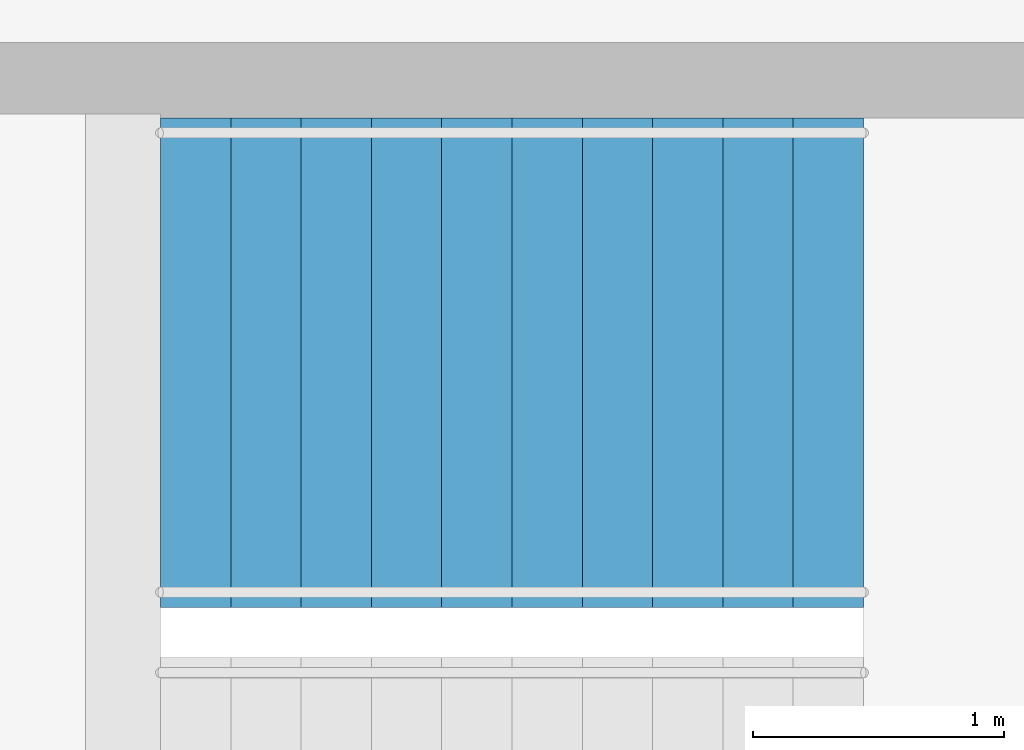
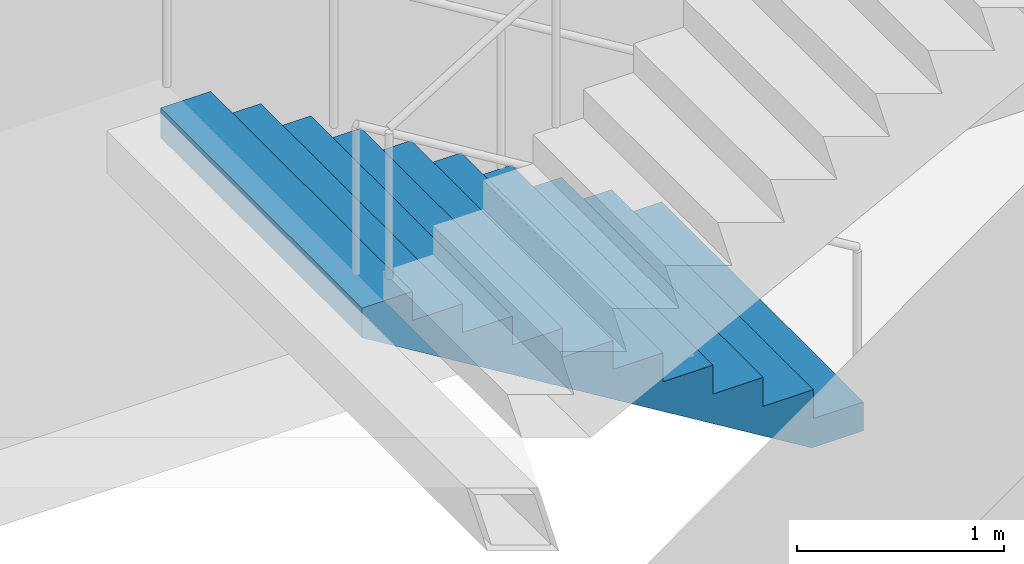
# One storey, part 27 of 28: 1 stair flight, 1 element without a shape of its own.
"""IFC4 building model written with IfcOpenShell, lengths in metres."""

from ifc_helpers import new_model, si_unit, direction, frame, origin, place, context, subcontext, project, spatial, triangles, material, type_object, element, aggregate, save


model = new_model("IFC4")

# Units and contexts
model_context = context("Model", 3, precision=1e-05, world=origin(), true_north=direction((0.0, 1.0)))
body_context = subcontext(model_context, "Body", "Model", "MODEL_VIEW")
ifc_project = project(units=[si_unit("LENGTHUNIT", "METRE"), si_unit("AREAUNIT", "SQUARE_METRE"), si_unit("VOLUMEUNIT", "CUBIC_METRE"), si_unit("PLANEANGLEUNIT", "RADIAN"), si_unit("MASSUNIT", "GRAM", prefix="KILO")], contexts=[model_context])

# Site, building, storey
site_placement = place(None, origin())
site = spatial("IfcSite", under=ifc_project, at=site_placement, CompositionType="ELEMENT")
building_placement = place(site_placement, origin())
building = spatial("IfcBuilding", under=site, at=building_placement, Name="Orbita Commons", CompositionType="ELEMENT")
storey_placement = place(building_placement, frame((0.0, 0.0, 216.550048828125)))
storey = spatial("IfcBuildingStorey", under=building, at=storey_placement, Name="L53", CompositionType="ELEMENT", Elevation=216.550048828125)

# Stair, stair flight
ifc_material_1 = material(Name="Precast concrete C40/50", Category="concrete")
stair_type = type_object("IfcStairType", Name="Exit stair S2 2 flights 11 risers 170", PredefinedType="HALF_TURN_STAIR", material=ifc_material_1)
stair_placement = place(storey_placement, origin())
stair = element("IfcStair", 1, at=stair_placement, inside=storey, type_object=stair_type, Name="Exit stair S2 L53", PredefinedType="HALF_TURN_STAIR")
ifc_material_2 = material(Name="Precast concrete C40/50", Category="concrete")
stair_flight_type = type_object("IfcStairFlightType", Name="Stair flight 11 risers 170 x 280", PredefinedType="STRAIGHT", material=ifc_material_2)
stair_flight_placement = place(storey_placement, frame((63.550048828125, 29.27490234375, 0.0), z_axis=(0.0, 0.0, 1.0), x_axis=(-1.0, 0.0, 0.0)))
stair_flight = element("IfcStairFlight", 2, at=stair_flight_placement, type_object=stair_flight_type, Name="S2 flight 1", NumberOfRisers=11, NumberOfTreads=10, PredefinedType="STRAIGHT", RiserHeight=0.170454545, TreadLength=0.28, context=body_context, shape_type="Tessellation", body=[
    triangles([(0.0, 0.974976, 0.0), (0.0, 0.974976, 0.021307), (0.0, 0.81248, 0.021307), (0.0, 0.81248, 0.0), (0.0, 0.649984, 0.021307), (0.0, 0.649984, 0.0), (0.0, 0.487488, 0.021307), (0.0, 0.487488, 0.0), (0.0, 0.324992, 0.021307), (0.0, 0.324992, 0.0), (0.0, 0.162496, 0.021307), (0.0, 0.162496, 0.0), (0.0, 0.0, 0.021307), (0.0, 0.0, 0.0), (0.0, -0.162496, 0.021307), (0.0, -0.162496, 0.0), (0.0, -0.324992, 0.021307), (0.0, -0.324992, 0.0), (0.0, -0.487488, 0.021307), (0.0, -0.487488, 0.0), (0.0, -0.649984, 0.021307), (0.0, -0.649984, 0.0), (0.0, -0.81248, 0.021307), (0.0, -0.81248, 0.0), (0.0, -0.974976, 0.021307), (0.0, -0.974976, 0.0), (0.0, 0.974976, 0.042614), (0.0, 0.81248, 0.042614), (0.0, 0.649984, 0.042614), (0.0, 0.487488, 0.042614), (0.0, 0.324992, 0.042614), (0.0, 0.162496, 0.042614), (0.0, 0.0, 0.042614), (0.0, -0.162496, 0.042614), (0.0, -0.324992, 0.042614), (0.0, -0.487488, 0.042614), (0.0, -0.649984, 0.042614), (0.0, -0.81248, 0.042614), (0.0, -0.974976, 0.042614), (0.0, 0.974976, 0.06392), (0.0, 0.81248, 0.06392), (0.0, 0.649984, 0.06392), (0.0, 0.487488, 0.06392), (0.0, 0.324992, 0.06392), (0.0, 0.162496, 0.06392), (0.0, 0.0, 0.06392), (0.0, -0.162496, 0.06392), (0.0, -0.324992, 0.06392), (0.0, -0.487488, 0.06392), (0.0, -0.649984, 0.06392), (0.0, -0.81248, 0.06392), (0.0, -0.974976, 0.06392), (0.0, 0.974976, 0.085227), (0.0, 0.81248, 0.085227), (0.0, 0.649984, 0.085227), (0.0, 0.487488, 0.085227), (0.0, 0.324992, 0.085227), (0.0, 0.162496, 0.085227), (0.0, 0.0, 0.085227), (0.0, -0.162496, 0.085227), (0.0, -0.324992, 0.085227), (0.0, -0.487488, 0.085227), (0.0, -0.649984, 0.085227), (0.0, -0.81248, 0.085227), (0.0, -0.974976, 0.085227), (0.0, 0.974976, 0.106534), (0.0, 0.81248, 0.106534), (0.0, 0.649984, 0.106534), (0.0, 0.487488, 0.106534), (0.0, 0.324992, 0.106534), (0.0, 0.162496, 0.106534), (0.0, 0.0, 0.106534), (0.0, -0.162496, 0.106534), (0.0, -0.324992, 0.106534), (0.0, -0.487488, 0.106534), (0.0, -0.649984, 0.106534), (0.0, -0.81248, 0.106534), (0.0, -0.974976, 0.106534), (0.0, 0.974976, 0.127841), (0.0, 0.81248, 0.127841), (0.0, 0.649984, 0.127841), (0.0, 0.487488, 0.127841), (0.0, 0.324992, 0.127841), (0.0, 0.162496, 0.127841), (0.0, 0.0, 0.127841), (0.0, -0.162496, 0.127841), (0.0, -0.324992, 0.127841), (0.0, -0.487488, 0.127841), (0.0, -0.649984, 0.127841), (0.0, -0.81248, 0.127841), (0.0, -0.974976, 0.127841), (0.0, 0.974976, 0.149148), (0.0, 0.81248, 0.149148), (0.0, 0.649984, 0.149148), (0.0, 0.487488, 0.149148), (0.0, 0.324992, 0.149148), (0.0, 0.162496, 0.149148), (0.0, 0.0, 0.149148), (0.0, -0.162496, 0.149148), (0.0, -0.324992, 0.149148), (0.0, -0.487488, 0.149148), (0.0, -0.649984, 0.149148), (0.0, -0.81248, 0.149148), (0.0, -0.974976, 0.149148), (0.0, 0.974976, 0.170455), (0.0, 0.81248, 0.170455), (0.0, 0.649984, 0.170455), (0.0, 0.487488, 0.170455), (0.0, 0.324992, 0.170455), (0.0, 0.162496, 0.170455), (0.0, 0.0, 0.170455), (0.0, -0.162496, 0.170455), (0.0, -0.324992, 0.170455), (0.0, -0.487488, 0.170455), (0.0, -0.649984, 0.170455), (0.0, -0.81248, 0.170455), (0.0, -0.974976, 0.170455), (0.28, 0.974976, 0.170455), (0.28, 0.81248, 0.170455), (0.28, 0.649984, 0.170455), (0.28, 0.487488, 0.170455), (0.28, 0.324992, 0.170455), (0.28, 0.162496, 0.170455), (0.28, 0.0, 0.170455), (0.28, -0.162496, 0.170455), (0.28, -0.324992, 0.170455), (0.28, -0.487488, 0.170455), (0.28, -0.649984, 0.170455), (0.28, -0.81248, 0.170455), (0.28, -0.974976, 0.170455), (0.28, 0.974976, 0.340909), (0.28, 0.81248, 0.340909), (0.28, 0.649984, 0.340909), (0.28, 0.487488, 0.340909), (0.28, 0.324992, 0.340909), (0.28, 0.162496, 0.340909), (0.28, 0.0, 0.340909), (0.28, -0.162496, 0.340909), (0.28, -0.324992, 0.340909), (0.28, -0.487488, 0.340909), (0.28, -0.649984, 0.340909), (0.28, -0.81248, 0.340909), (0.28, -0.974976, 0.340909), (0.56, 0.974976, 0.340909), (0.56, 0.81248, 0.340909), (0.56, 0.649984, 0.340909), (0.56, 0.487488, 0.340909), (0.56, 0.324992, 0.340909), (0.56, 0.162496, 0.340909), (0.56, 0.0, 0.340909), (0.56, -0.162496, 0.340909), (0.56, -0.324992, 0.340909), (0.56, -0.487488, 0.340909), (0.56, -0.649984, 0.340909), (0.56, -0.81248, 0.340909), (0.56, -0.974976, 0.340909), (0.56, 0.974976, 0.511364), (0.56, 0.81248, 0.511364), (0.56, 0.649984, 0.511364), (0.56, 0.487488, 0.511364), (0.56, 0.324992, 0.511364), (0.56, 0.162496, 0.511364), (0.56, 0.0, 0.511364), (0.56, -0.162496, 0.511364), (0.56, -0.324992, 0.511364), (0.56, -0.487488, 0.511364), (0.56, -0.649984, 0.511364), (0.56, -0.81248, 0.511364), (0.56, -0.974976, 0.511364), (0.84, 0.974976, 0.511364), (0.84, 0.81248, 0.511364), (0.84, 0.649984, 0.511364), (0.84, 0.487488, 0.511364), (0.84, 0.324992, 0.511364), (0.84, 0.162496, 0.511364), (0.84, 0.0, 0.511364), (0.84, -0.162496, 0.511364), (0.84, -0.324992, 0.511364), (0.84, -0.487488, 0.511364), (0.84, -0.649984, 0.511364), (0.84, -0.81248, 0.511364), (0.84, -0.974976, 0.511364), (0.84, 0.974976, 0.681818), (0.84, 0.81248, 0.681818), (0.84, 0.649984, 0.681818), (0.84, 0.487488, 0.681818), (0.84, 0.324992, 0.681818), (0.84, 0.162496, 0.681818), (0.84, 0.0, 0.681818), (0.84, -0.162496, 0.681818), (0.84, -0.324992, 0.681818), (0.84, -0.487488, 0.681818), (0.84, -0.649984, 0.681818), (0.84, -0.81248, 0.681818), (0.84, -0.974976, 0.681818), (1.12, 0.974976, 0.681818), (1.12, 0.81248, 0.681818), (1.12, 0.649984, 0.681818), (1.12, 0.487488, 0.681818), (1.12, 0.324992, 0.681818), (1.12, 0.162496, 0.681818), (1.12, 0.0, 0.681818), (1.12, -0.162496, 0.681818), (1.12, -0.324992, 0.681818), (1.12, -0.487488, 0.681818), (1.12, -0.649984, 0.681818), (1.12, -0.81248, 0.681818), (1.12, -0.974976, 0.681818), (1.12, 0.974976, 0.852273), (1.12, 0.81248, 0.852273), (1.12, 0.649984, 0.852273), (1.12, 0.487488, 0.852273), (1.12, 0.324992, 0.852273), (1.12, 0.162496, 0.852273), (1.12, 0.0, 0.852273), (1.12, -0.162496, 0.852273), (1.12, -0.324992, 0.852273), (1.12, -0.487488, 0.852273), (1.12, -0.649984, 0.852273), (1.12, -0.81248, 0.852273), (1.12, -0.974976, 0.852273), (1.4, 0.974976, 0.852273), (1.4, 0.81248, 0.852273), (1.4, 0.649984, 0.852273), (1.4, 0.487488, 0.852273), (1.4, 0.324992, 0.852273), (1.4, 0.162496, 0.852273), (1.4, 0.0, 0.852273), (1.4, -0.162496, 0.852273), (1.4, -0.324992, 0.852273), (1.4, -0.487488, 0.852273), (1.4, -0.649984, 0.852273), (1.4, -0.81248, 0.852273), (1.4, -0.974976, 0.852273), (1.4, 0.974976, 1.022727), (1.4, 0.81248, 1.022727), (1.4, 0.649984, 1.022727), (1.4, 0.487488, 1.022727), (1.4, 0.324992, 1.022727), (1.4, 0.162496, 1.022727), (1.4, 0.0, 1.022727), (1.4, -0.162496, 1.022727), (1.4, -0.324992, 1.022727), (1.4, -0.487488, 1.022727), (1.4, -0.649984, 1.022727), (1.4, -0.81248, 1.022727), (1.4, -0.974976, 1.022727), (1.68, 0.974976, 1.022727), (1.68, 0.81248, 1.022727), (1.68, 0.649984, 1.022727), (1.68, 0.487488, 1.022727), (1.68, 0.324992, 1.022727), (1.68, 0.162496, 1.022727), (1.68, 0.0, 1.022727), (1.68, -0.162496, 1.022727), (1.68, -0.324992, 1.022727), (1.68, -0.487488, 1.022727), (1.68, -0.649984, 1.022727), (1.68, -0.81248, 1.022727), (1.68, -0.974976, 1.022727), (1.68, 0.974976, 1.193182), (1.68, 0.81248, 1.193182), (1.68, 0.649984, 1.193182), (1.68, 0.487488, 1.193182), (1.68, 0.324992, 1.193182), (1.68, 0.162496, 1.193182), (1.68, 0.0, 1.193182), (1.68, -0.162496, 1.193182), (1.68, -0.324992, 1.193182), (1.68, -0.487488, 1.193182), (1.68, -0.649984, 1.193182), (1.68, -0.81248, 1.193182), (1.68, -0.974976, 1.193182), (1.96, 0.974976, 1.193182), (1.96, 0.81248, 1.193182), (1.96, 0.649984, 1.193182), (1.96, 0.487488, 1.193182), (1.96, 0.324992, 1.193182), (1.96, 0.162496, 1.193182), (1.96, 0.0, 1.193182), (1.96, -0.162496, 1.193182), (1.96, -0.324992, 1.193182), (1.96, -0.487488, 1.193182), (1.96, -0.649984, 1.193182), (1.96, -0.81248, 1.193182), (1.96, -0.974976, 1.193182), (1.96, 0.974976, 1.363636), (1.96, 0.81248, 1.363636), (1.96, 0.649984, 1.363636), (1.96, 0.487488, 1.363636), (1.96, 0.324992, 1.363636), (1.96, 0.162496, 1.363636), (1.96, 0.0, 1.363636), (1.96, -0.162496, 1.363636), (1.96, -0.324992, 1.363636), (1.96, -0.487488, 1.363636), (1.96, -0.649984, 1.363636), (1.96, -0.81248, 1.363636), (1.96, -0.974976, 1.363636), (2.24, 0.974976, 1.363636), (2.24, 0.81248, 1.363636), (2.24, 0.649984, 1.363636), (2.24, 0.487488, 1.363636), (2.24, 0.324992, 1.363636), (2.24, 0.162496, 1.363636), (2.24, 0.0, 1.363636), (2.24, -0.162496, 1.363636), (2.24, -0.324992, 1.363636), (2.24, -0.487488, 1.363636), (2.24, -0.649984, 1.363636), (2.24, -0.81248, 1.363636), (2.24, -0.974976, 1.363636), (2.24, 0.974976, 1.534091), (2.24, 0.81248, 1.534091), (2.24, 0.649984, 1.534091), (2.24, 0.487488, 1.534091), (2.24, 0.324992, 1.534091), (2.24, 0.162496, 1.534091), (2.24, 0.0, 1.534091), (2.24, -0.162496, 1.534091), (2.24, -0.324992, 1.534091), (2.24, -0.487488, 1.534091), (2.24, -0.649984, 1.534091), (2.24, -0.81248, 1.534091), (2.24, -0.974976, 1.534091), (2.52, 0.974976, 1.534091), (2.52, 0.81248, 1.534091), (2.52, 0.649984, 1.534091), (2.52, 0.487488, 1.534091), (2.52, 0.324992, 1.534091), (2.52, 0.162496, 1.534091), (2.52, 0.0, 1.534091), (2.52, -0.162496, 1.534091), (2.52, -0.324992, 1.534091), (2.52, -0.487488, 1.534091), (2.52, -0.649984, 1.534091), (2.52, -0.81248, 1.534091), (2.52, -0.974976, 1.534091), (2.52, 0.974976, 1.704545), (2.52, 0.81248, 1.704545), (2.52, 0.649984, 1.704545), (2.52, 0.487488, 1.704545), (2.52, 0.324992, 1.704545), (2.52, 0.162496, 1.704545), (2.52, 0.0, 1.704545), (2.52, -0.162496, 1.704545), (2.52, -0.324992, 1.704545), (2.52, -0.487488, 1.704545), (2.52, -0.649984, 1.704545), (2.52, -0.81248, 1.704545), (2.52, -0.974976, 1.704545), (2.8, 0.974976, 1.704545), (2.8, 0.81248, 1.704545), (2.8, 0.649984, 1.704545), (2.8, 0.487488, 1.704545), (2.8, 0.324992, 1.704545), (2.8, 0.162496, 1.704545), (2.8, 0.0, 1.704545), (2.8, -0.162496, 1.704545), (2.8, -0.324992, 1.704545), (2.8, -0.487488, 1.704545), (2.8, -0.649984, 1.704545), (2.8, -0.81248, 1.704545), (2.8, -0.974976, 1.704545), (2.8, 0.974976, 1.682609), (2.8, 0.81248, 1.682609), (2.8, 0.649984, 1.682609), (2.8, 0.487488, 1.682609), (2.8, 0.324992, 1.682609), (2.8, 0.162496, 1.682609), (2.8, 0.0, 1.682609), (2.8, -0.162496, 1.682609), (2.8, -0.324992, 1.682609), (2.8, -0.487488, 1.682609), (2.8, -0.649984, 1.682609), (2.8, -0.81248, 1.682609), (2.8, -0.974976, 1.682609), (2.8, 0.974976, 1.660672), (2.8, 0.81248, 1.660672), (2.8, 0.649984, 1.660672), (2.8, 0.487488, 1.660672), (2.8, 0.324992, 1.660672), (2.8, 0.162496, 1.660672), (2.8, 0.0, 1.660672), (2.8, -0.162496, 1.660672), (2.8, -0.324992, 1.660672), (2.8, -0.487488, 1.660672), (2.8, -0.649984, 1.660672), (2.8, -0.81248, 1.660672), (2.8, -0.974976, 1.660672), (2.8, 0.974976, 1.638735), (2.8, 0.81248, 1.638735), (2.8, 0.649984, 1.638735), (2.8, 0.487488, 1.638735), (2.8, 0.324992, 1.638735), (2.8, 0.162496, 1.638735), (2.8, 0.0, 1.638735), (2.8, -0.162496, 1.638735), (2.8, -0.324992, 1.638735), (2.8, -0.487488, 1.638735), (2.8, -0.649984, 1.638735), (2.8, -0.81248, 1.638735), (2.8, -0.974976, 1.638735), (2.8, 0.974976, 1.616798), (2.8, 0.81248, 1.616798), (2.8, 0.649984, 1.616798), (2.8, 0.487488, 1.616798), (2.8, 0.324992, 1.616798), (2.8, 0.162496, 1.616798), (2.8, 0.0, 1.616798), (2.8, -0.162496, 1.616798), (2.8, -0.324992, 1.616798), (2.8, -0.487488, 1.616798), (2.8, -0.649984, 1.616798), (2.8, -0.81248, 1.616798), (2.8, -0.974976, 1.616798), (2.8, 0.974976, 1.594861), (2.8, 0.81248, 1.594861), (2.8, 0.649984, 1.594861), (2.8, 0.487488, 1.594861), (2.8, 0.324992, 1.594861), (2.8, 0.162496, 1.594861), (2.8, 0.0, 1.594861), (2.8, -0.162496, 1.594861), (2.8, -0.324992, 1.594861), (2.8, -0.487488, 1.594861), (2.8, -0.649984, 1.594861), (2.8, -0.81248, 1.594861), (2.8, -0.974976, 1.594861), (2.8, 0.974976, 1.572925), (2.8, 0.81248, 1.572925), (2.8, 0.649984, 1.572925), (2.8, 0.487488, 1.572925), (2.8, 0.324992, 1.572925), (2.8, 0.162496, 1.572925), (2.8, 0.0, 1.572925), (2.8, -0.162496, 1.572925), (2.8, -0.324992, 1.572925), (2.8, -0.487488, 1.572925), (2.8, -0.649984, 1.572925), (2.8, -0.81248, 1.572925), (2.8, -0.974976, 1.572925), (2.8, 0.974976, 1.550988), (2.8, 0.81248, 1.550988), (2.8, 0.649984, 1.550988), (2.8, 0.487488, 1.550988), (2.8, 0.324992, 1.550988), (2.8, 0.162496, 1.550988), (2.8, 0.0, 1.550988), (2.8, -0.162496, 1.550988), (2.8, -0.324992, 1.550988), (2.8, -0.487488, 1.550988), (2.8, -0.649984, 1.550988), (2.8, -0.81248, 1.550988), (2.8, -0.974976, 1.550988), (2.8, 0.974976, 1.529051), (2.8, 0.81248, 1.529051), (2.8, 0.649984, 1.529051), (2.8, 0.487488, 1.529051), (2.8, 0.324992, 1.529051), (2.8, 0.162496, 1.529051), (2.8, 0.0, 1.529051), (2.8, -0.162496, 1.529051), (2.8, -0.324992, 1.529051), (2.8, -0.487488, 1.529051), (2.8, -0.649984, 1.529051), (2.8, -0.81248, 1.529051), (2.8, -0.974976, 1.529051), (0.288279, 0.974976, 0.0), (0.288279, 0.81248, 0.0), (0.288279, 0.649984, 0.0), (0.288279, 0.487488, 0.0), (0.288279, 0.324992, 0.0), (0.288279, 0.162496, 0.0), (0.288279, 0.0, 0.0), (0.288279, -0.162496, 0.0), (0.288279, -0.324992, 0.0), (0.288279, -0.487488, 0.0), (0.288279, -0.649984, 0.0), (0.288279, -0.81248, 0.0), (0.288279, -0.974976, 0.0)], [[3, 2, 1], [4, 3, 1], [5, 3, 4], [6, 5, 4], [7, 5, 6], [8, 7, 6], [9, 7, 8], [10, 9, 8], [11, 9, 10], [12, 11, 10], [13, 11, 12], [14, 13, 12], [15, 13, 14], [16, 15, 14], [17, 15, 16], [18, 17, 16], [19, 17, 18], [20, 19, 18], [21, 19, 20], [22, 21, 20], [23, 21, 22], [24, 23, 22], [25, 23, 24], [26, 25, 24], [28, 27, 2], [3, 28, 2], [29, 28, 3], [5, 29, 3], [30, 29, 5], [7, 30, 5], [31, 30, 7], [9, 31, 7], [32, 31, 9], [11, 32, 9], [33, 32, 11], [13, 33, 11], [34, 33, 13], [15, 34, 13], [35, 34, 15], [17, 35, 15], [36, 35, 17], [19, 36, 17], [37, 36, 19], [21, 37, 19], [38, 37, 21], [23, 38, 21], [39, 38, 23], [25, 39, 23], [41, 40, 27], [28, 41, 27], [42, 41, 28], [29, 42, 28], [43, 42, 29], [30, 43, 29], [44, 43, 30], [31, 44, 30], [45, 44, 31], [32, 45, 31], [46, 45, 32], [33, 46, 32], [47, 46, 33], [34, 47, 33], [48, 47, 34], [35, 48, 34], [49, 48, 35], [36, 49, 35], [50, 49, 36], [37, 50, 36], [51, 50, 37], [38, 51, 37], [52, 51, 38], [39, 52, 38], [54, 53, 40], [41, 54, 40], [55, 54, 41], [42, 55, 41], [56, 55, 42], [43, 56, 42], [57, 56, 43], [44, 57, 43], [58, 57, 44], [45, 58, 44], [59, 58, 45], [46, 59, 45], [60, 59, 46], [47, 60, 46], [61, 60, 47], [48, 61, 47], [62, 61, 48], [49, 62, 48], [63, 62, 49], [50, 63, 49], [64, 63, 50], [51, 64, 50], [65, 64, 51], [52, 65, 51], [67, 66, 53], [54, 67, 53], [68, 67, 54], [55, 68, 54], [69, 68, 55], [56, 69, 55], [70, 69, 56], [57, 70, 56], [71, 70, 57], [58, 71, 57], [72, 71, 58], [59, 72, 58], [73, 72, 59], [60, 73, 59], [74, 73, 60], [61, 74, 60], [75, 74, 61], [62, 75, 61], [76, 75, 62], [63, 76, 62], [77, 76, 63], [64, 77, 63], [78, 77, 64], [65, 78, 64], [80, 79, 66], [67, 80, 66], [81, 80, 67], [68, 81, 67], [82, 81, 68], [69, 82, 68], [83, 82, 69], [70, 83, 69], [84, 83, 70], [71, 84, 70], [85, 84, 71], [72, 85, 71], [86, 85, 72], [73, 86, 72], [87, 86, 73], [74, 87, 73], [88, 87, 74], [75, 88, 74], [89, 88, 75], [76, 89, 75], [90, 89, 76], [77, 90, 76], [91, 90, 77], [78, 91, 77], [93, 92, 79], [80, 93, 79], [94, 93, 80], [81, 94, 80], [95, 94, 81], [82, 95, 81], [96, 95, 82], [83, 96, 82], [97, 96, 83], [84, 97, 83], [98, 97, 84], [85, 98, 84], [99, 98, 85], [86, 99, 85], [100, 99, 86], [87, 100, 86], [101, 100, 87], [88, 101, 87], [102, 101, 88], [89, 102, 88], [103, 102, 89], [90, 103, 89], [104, 103, 90], [91, 104, 90], [106, 105, 92], [93, 106, 92], [107, 106, 93], [94, 107, 93], [108, 107, 94], [95, 108, 94], [109, 108, 95], [96, 109, 95], [110, 109, 96], [97, 110, 96], [111, 110, 97], [98, 111, 97], [112, 111, 98], [99, 112, 98], [113, 112, 99], [100, 113, 99], [114, 113, 100], [101, 114, 100], [115, 114, 101], [102, 115, 101], [116, 115, 102], [103, 116, 102], [117, 116, 103], [104, 117, 103], [119, 118, 105], [106, 119, 105], [120, 119, 106], [107, 120, 106], [121, 120, 107], [108, 121, 107], [122, 121, 108], [109, 122, 108], [123, 122, 109], [110, 123, 109], [124, 123, 110], [111, 124, 110], [125, 124, 111], [112, 125, 111], [126, 125, 112], [113, 126, 112], [127, 126, 113], [114, 127, 113], [128, 127, 114], [115, 128, 114], [129, 128, 115], [116, 129, 115], [130, 129, 116], [117, 130, 116], [132, 131, 118], [119, 132, 118], [133, 132, 119], [120, 133, 119], [134, 133, 120], [121, 134, 120], [135, 134, 121], [122, 135, 121], [136, 135, 122], [123, 136, 122], [137, 136, 123], [124, 137, 123], [138, 137, 124], [125, 138, 124], [139, 138, 125], [126, 139, 125], [140, 139, 126], [127, 140, 126], [141, 140, 127], [128, 141, 127], [142, 141, 128], [129, 142, 128], [143, 142, 129], [130, 143, 129], [145, 144, 131], [132, 145, 131], [146, 145, 132], [133, 146, 132], [147, 146, 133], [134, 147, 133], [148, 147, 134], [135, 148, 134], [149, 148, 135], [136, 149, 135], [150, 149, 136], [137, 150, 136], [151, 150, 137], [138, 151, 137], [152, 151, 138], [139, 152, 138], [153, 152, 139], [140, 153, 139], [154, 153, 140], [141, 154, 140], [155, 154, 141], [142, 155, 141], [156, 155, 142], [143, 156, 142], [158, 157, 144], [145, 158, 144], [159, 158, 145], [146, 159, 145], [160, 159, 146], [147, 160, 146], [161, 160, 147], [148, 161, 147], [162, 161, 148], [149, 162, 148], [163, 162, 149], [150, 163, 149], [164, 163, 150], [151, 164, 150], [165, 164, 151], [152, 165, 151], [166, 165, 152], [153, 166, 152], [167, 166, 153], [154, 167, 153], [168, 167, 154], [155, 168, 154], [169, 168, 155], [156, 169, 155], [171, 170, 157], [158, 171, 157], [172, 171, 158], [159, 172, 158], [173, 172, 159], [160, 173, 159], [174, 173, 160], [161, 174, 160], [175, 174, 161], [162, 175, 161], [176, 175, 162], [163, 176, 162], [177, 176, 163], [164, 177, 163], [178, 177, 164], [165, 178, 164], [179, 178, 165], [166, 179, 165], [180, 179, 166], [167, 180, 166], [181, 180, 167], [168, 181, 167], [182, 181, 168], [169, 182, 168], [184, 183, 170], [171, 184, 170], [185, 184, 171], [172, 185, 171], [186, 185, 172], [173, 186, 172], [187, 186, 173], [174, 187, 173], [188, 187, 174], [175, 188, 174], [189, 188, 175], [176, 189, 175], [190, 189, 176], [177, 190, 176], [191, 190, 177], [178, 191, 177], [192, 191, 178], [179, 192, 178], [193, 192, 179], [180, 193, 179], [194, 193, 180], [181, 194, 180], [195, 194, 181], [182, 195, 181], [197, 196, 183], [184, 197, 183], [198, 197, 184], [185, 198, 184], [199, 198, 185], [186, 199, 185], [200, 199, 186], [187, 200, 186], [201, 200, 187], [188, 201, 187], [202, 201, 188], [189, 202, 188], [203, 202, 189], [190, 203, 189], [204, 203, 190], [191, 204, 190], [205, 204, 191], [192, 205, 191], [206, 205, 192], [193, 206, 192], [207, 206, 193], [194, 207, 193], [208, 207, 194], [195, 208, 194], [210, 209, 196], [197, 210, 196], [211, 210, 197], [198, 211, 197], [212, 211, 198], [199, 212, 198], [213, 212, 199], [200, 213, 199], [214, 213, 200], [201, 214, 200], [215, 214, 201], [202, 215, 201], [216, 215, 202], [203, 216, 202], [217, 216, 203], [204, 217, 203], [218, 217, 204], [205, 218, 204], [219, 218, 205], [206, 219, 205], [220, 219, 206], [207, 220, 206], [221, 220, 207], [208, 221, 207], [223, 222, 209], [210, 223, 209], [224, 223, 210], [211, 224, 210], [225, 224, 211], [212, 225, 211], [226, 225, 212], [213, 226, 212], [227, 226, 213], [214, 227, 213], [228, 227, 214], [215, 228, 214], [229, 228, 215], [216, 229, 215], [230, 229, 216], [217, 230, 216], [231, 230, 217], [218, 231, 217], [232, 231, 218], [219, 232, 218], [233, 232, 219], [220, 233, 219], [234, 233, 220], [221, 234, 220], [236, 235, 222], [223, 236, 222], [237, 236, 223], [224, 237, 223], [238, 237, 224], [225, 238, 224], [239, 238, 225], [226, 239, 225], [240, 239, 226], [227, 240, 226], [241, 240, 227], [228, 241, 227], [242, 241, 228], [229, 242, 228], [243, 242, 229], [230, 243, 229], [244, 243, 230], [231, 244, 230], [245, 244, 231], [232, 245, 231], [246, 245, 232], [233, 246, 232], [247, 246, 233], [234, 247, 233], [249, 248, 235], [236, 249, 235], [250, 249, 236], [237, 250, 236], [251, 250, 237], [238, 251, 237], [252, 251, 238], [239, 252, 238], [253, 252, 239], [240, 253, 239], [254, 253, 240], [241, 254, 240], [255, 254, 241], [242, 255, 241], [256, 255, 242], [243, 256, 242], [257, 256, 243], [244, 257, 243], [258, 257, 244], [245, 258, 244], [259, 258, 245], [246, 259, 245], [260, 259, 246], [247, 260, 246], [262, 261, 248], [249, 262, 248], [263, 262, 249], [250, 263, 249], [264, 263, 250], [251, 264, 250], [265, 264, 251], [252, 265, 251], [266, 265, 252], [253, 266, 252], [267, 266, 253], [254, 267, 253], [268, 267, 254], [255, 268, 254], [269, 268, 255], [256, 269, 255], [270, 269, 256], [257, 270, 256], [271, 270, 257], [258, 271, 257], [272, 271, 258], [259, 272, 258], [273, 272, 259], [260, 273, 259], [275, 274, 261], [262, 275, 261], [276, 275, 262], [263, 276, 262], [277, 276, 263], [264, 277, 263], [278, 277, 264], [265, 278, 264], [279, 278, 265], [266, 279, 265], [280, 279, 266], [267, 280, 266], [281, 280, 267], [268, 281, 267], [282, 281, 268], [269, 282, 268], [283, 282, 269], [270, 283, 269], [284, 283, 270], [271, 284, 270], [285, 284, 271], [272, 285, 271], [286, 285, 272], [273, 286, 272], [288, 287, 274], [275, 288, 274], [289, 288, 275], [276, 289, 275], [290, 289, 276], [277, 290, 276], [291, 290, 277], [278, 291, 277], [292, 291, 278], [279, 292, 278], [293, 292, 279], [280, 293, 279], [294, 293, 280], [281, 294, 280], [295, 294, 281], [282, 295, 281], [296, 295, 282], [283, 296, 282], [297, 296, 283], [284, 297, 283], [298, 297, 284], [285, 298, 284], [299, 298, 285], [286, 299, 285], [301, 300, 287], [288, 301, 287], [302, 301, 288], [289, 302, 288], [303, 302, 289], [290, 303, 289], [304, 303, 290], [291, 304, 290], [305, 304, 291], [292, 305, 291], [306, 305, 292], [293, 306, 292], [307, 306, 293], [294, 307, 293], [308, 307, 294], [295, 308, 294], [309, 308, 295], [296, 309, 295], [310, 309, 296], [297, 310, 296], [311, 310, 297], [298, 311, 297], [312, 311, 298], [299, 312, 298], [314, 313, 300], [301, 314, 300], [315, 314, 301], [302, 315, 301], [316, 315, 302], [303, 316, 302], [317, 316, 303], [304, 317, 303], [318, 317, 304], [305, 318, 304], [319, 318, 305], [306, 319, 305], [320, 319, 306], [307, 320, 306], [321, 320, 307], [308, 321, 307], [322, 321, 308], [309, 322, 308], [323, 322, 309], [310, 323, 309], [324, 323, 310], [311, 324, 310], [325, 324, 311], [312, 325, 311], [327, 326, 313], [314, 327, 313], [328, 327, 314], [315, 328, 314], [329, 328, 315], [316, 329, 315], [330, 329, 316], [317, 330, 316], [331, 330, 317], [318, 331, 317], [332, 331, 318], [319, 332, 318], [333, 332, 319], [320, 333, 319], [334, 333, 320], [321, 334, 320], [335, 334, 321], [322, 335, 321], [336, 335, 322], [323, 336, 322], [337, 336, 323], [324, 337, 323], [338, 337, 324], [325, 338, 324], [340, 339, 326], [327, 340, 326], [341, 340, 327], [328, 341, 327], [342, 341, 328], [329, 342, 328], [343, 342, 329], [330, 343, 329], [344, 343, 330], [331, 344, 330], [345, 344, 331], [332, 345, 331], [346, 345, 332], [333, 346, 332], [347, 346, 333], [334, 347, 333], [348, 347, 334], [335, 348, 334], [349, 348, 335], [336, 349, 335], [350, 349, 336], [337, 350, 336], [351, 350, 337], [338, 351, 337], [353, 352, 339], [340, 353, 339], [354, 353, 340], [341, 354, 340], [355, 354, 341], [342, 355, 341], [356, 355, 342], [343, 356, 342], [357, 356, 343], [344, 357, 343], [358, 357, 344], [345, 358, 344], [359, 358, 345], [346, 359, 345], [360, 359, 346], [347, 360, 346], [361, 360, 347], [348, 361, 347], [362, 361, 348], [349, 362, 348], [363, 362, 349], [350, 363, 349], [364, 363, 350], [351, 364, 350], [366, 365, 352], [353, 366, 352], [367, 366, 353], [354, 367, 353], [368, 367, 354], [355, 368, 354], [369, 368, 355], [356, 369, 355], [370, 369, 356], [357, 370, 356], [371, 370, 357], [358, 371, 357], [372, 371, 358], [359, 372, 358], [373, 372, 359], [360, 373, 359], [374, 373, 360], [361, 374, 360], [375, 374, 361], [362, 375, 361], [376, 375, 362], [363, 376, 362], [377, 376, 363], [364, 377, 363], [379, 378, 365], [366, 379, 365], [380, 379, 366], [367, 380, 366], [381, 380, 367], [368, 381, 367], [382, 381, 368], [369, 382, 368], [383, 382, 369], [370, 383, 369], [384, 383, 370], [371, 384, 370], [385, 384, 371], [372, 385, 371], [386, 385, 372], [373, 386, 372], [387, 386, 373], [374, 387, 373], [388, 387, 374], [375, 388, 374], [389, 388, 375], [376, 389, 375], [390, 389, 376], [377, 390, 376], [392, 391, 378], [379, 392, 378], [393, 392, 379], [380, 393, 379], [394, 393, 380], [381, 394, 380], [395, 394, 381], [382, 395, 381], [396, 395, 382], [383, 396, 382], [397, 396, 383], [384, 397, 383], [398, 397, 384], [385, 398, 384], [399, 398, 385], [386, 399, 385], [400, 399, 386], [387, 400, 386], [401, 400, 387], [388, 401, 387], [402, 401, 388], [389, 402, 388], [403, 402, 389], [390, 403, 389], [405, 404, 391], [392, 405, 391], [406, 405, 392], [393, 406, 392], [407, 406, 393], [394, 407, 393], [408, 407, 394], [395, 408, 394], [409, 408, 395], [396, 409, 395], [410, 409, 396], [397, 410, 396], [411, 410, 397], [398, 411, 397], [412, 411, 398], [399, 412, 398], [413, 412, 399], [400, 413, 399], [414, 413, 400], [401, 414, 400], [415, 414, 401], [402, 415, 401], [416, 415, 402], [403, 416, 402], [418, 417, 404], [405, 418, 404], [419, 418, 405], [406, 419, 405], [420, 419, 406], [407, 420, 406], [421, 420, 407], [408, 421, 407], [422, 421, 408], [409, 422, 408], [423, 422, 409], [410, 423, 409], [424, 423, 410], [411, 424, 410], [425, 424, 411], [412, 425, 411], [426, 425, 412], [413, 426, 412], [427, 426, 413], [414, 427, 413], [428, 427, 414], [415, 428, 414], [429, 428, 415], [416, 429, 415], [431, 430, 417], [418, 431, 417], [432, 431, 418], [419, 432, 418], [433, 432, 419], [420, 433, 419], [434, 433, 420], [421, 434, 420], [435, 434, 421], [422, 435, 421], [436, 435, 422], [423, 436, 422], [437, 436, 423], [424, 437, 423], [438, 437, 424], [425, 438, 424], [439, 438, 425], [426, 439, 425], [440, 439, 426], [427, 440, 426], [441, 440, 427], [428, 441, 427], [442, 441, 428], [429, 442, 428], [444, 443, 430], [431, 444, 430], [445, 444, 431], [432, 445, 431], [446, 445, 432], [433, 446, 432], [447, 446, 433], [434, 447, 433], [448, 447, 434], [435, 448, 434], [449, 448, 435], [436, 449, 435], [450, 449, 436], [437, 450, 436], [451, 450, 437], [438, 451, 437], [452, 451, 438], [439, 452, 438], [453, 452, 439], [440, 453, 439], [454, 453, 440], [441, 454, 440], [455, 454, 441], [442, 455, 441], [457, 456, 443], [444, 457, 443], [458, 457, 444], [445, 458, 444], [459, 458, 445], [446, 459, 445], [460, 459, 446], [447, 460, 446], [461, 460, 447], [448, 461, 447], [462, 461, 448], [449, 462, 448], [463, 462, 449], [450, 463, 449], [464, 463, 450], [451, 464, 450], [465, 464, 451], [452, 465, 451], [466, 465, 452], [453, 466, 452], [467, 466, 453], [454, 467, 453], [468, 467, 454], [455, 468, 454], [470, 469, 456], [457, 470, 456], [471, 470, 457], [458, 471, 457], [472, 471, 458], [459, 472, 458], [473, 472, 459], [460, 473, 459], [474, 473, 460], [461, 474, 460], [475, 474, 461], [462, 475, 461], [476, 475, 462], [463, 476, 462], [477, 476, 463], [464, 477, 463], [478, 477, 464], [465, 478, 464], [479, 478, 465], [466, 479, 465], [480, 479, 466], [467, 480, 466], [481, 480, 467], [468, 481, 467], [4, 1, 469], [470, 4, 469], [6, 4, 470], [471, 6, 470], [8, 6, 471], [472, 8, 471], [10, 8, 472], [473, 10, 472], [12, 10, 473], [474, 12, 473], [14, 12, 474], [475, 14, 474], [16, 14, 475], [476, 16, 475], [18, 16, 476], [477, 18, 476], [20, 18, 477], [478, 20, 477], [22, 20, 478], [479, 22, 478], [24, 22, 479], [480, 24, 479], [26, 24, 480], [481, 26, 480], [456, 469, 1], [26, 481, 468], [443, 456, 1], [26, 468, 455], [430, 443, 1], [26, 455, 442], [417, 430, 1], [26, 442, 429], [404, 417, 1], [26, 429, 416], [391, 404, 1], [26, 416, 403], [378, 391, 1], [26, 403, 390], [365, 378, 1], [26, 390, 377], [339, 352, 365], [377, 364, 351], [326, 339, 365], [377, 351, 338], [300, 313, 326], [338, 325, 312], [300, 326, 365], [377, 338, 312], [274, 287, 300], [312, 299, 286], [274, 300, 365], [377, 312, 286], [248, 261, 274], [286, 273, 260], [248, 274, 365], [377, 286, 260], [222, 235, 248], [260, 247, 234], [222, 248, 365], [377, 260, 234], [196, 209, 222], [234, 221, 208], [196, 222, 365], [377, 234, 208], [170, 183, 196], [208, 195, 182], [170, 196, 365], [377, 208, 182], [144, 157, 170], [182, 169, 156], [144, 170, 365], [377, 182, 156], [118, 131, 144], [156, 143, 130], [118, 144, 365], [377, 156, 130], [118, 365, 1], [26, 377, 130], [92, 105, 118], [130, 117, 104], [79, 92, 118], [130, 104, 91], [66, 79, 118], [130, 91, 78], [53, 66, 118], [130, 78, 65], [40, 53, 118], [130, 65, 52], [27, 40, 118], [130, 52, 39], [2, 27, 118], [130, 39, 25], [1, 2, 118], [130, 25, 26]], closed=True),
])
aggregate(stair, [stair_flight])

save(model, "model.ifc")
